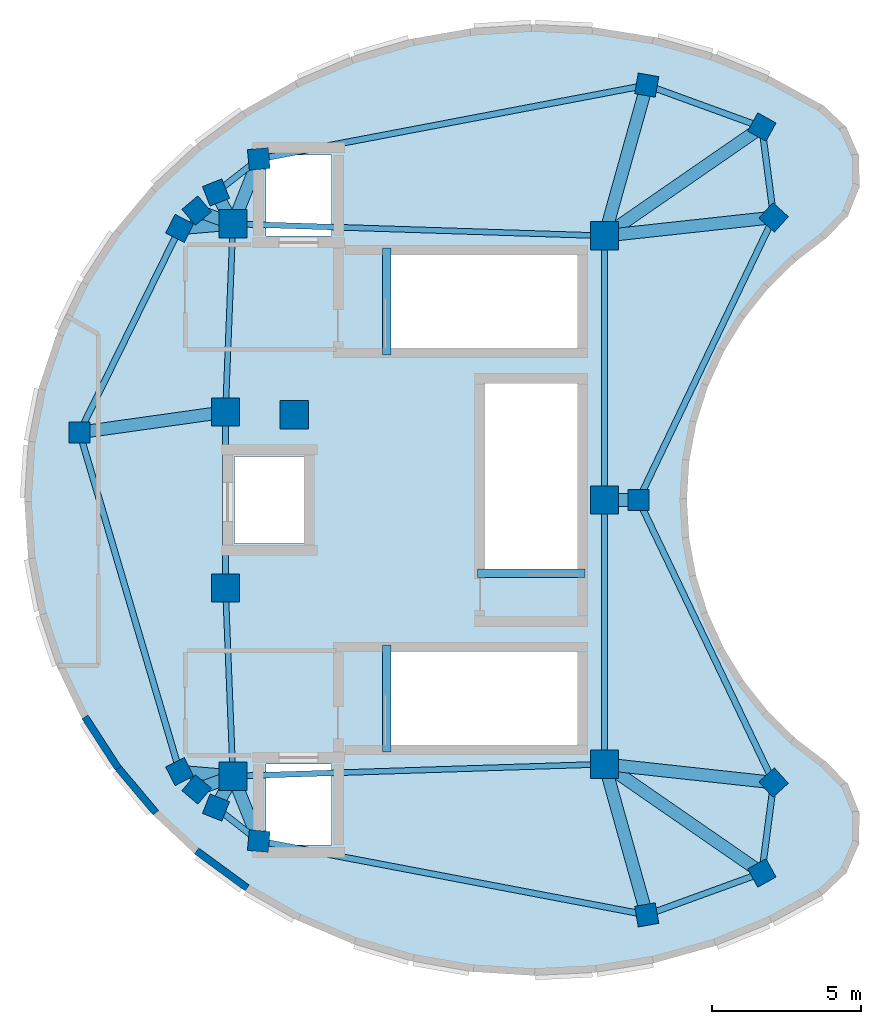
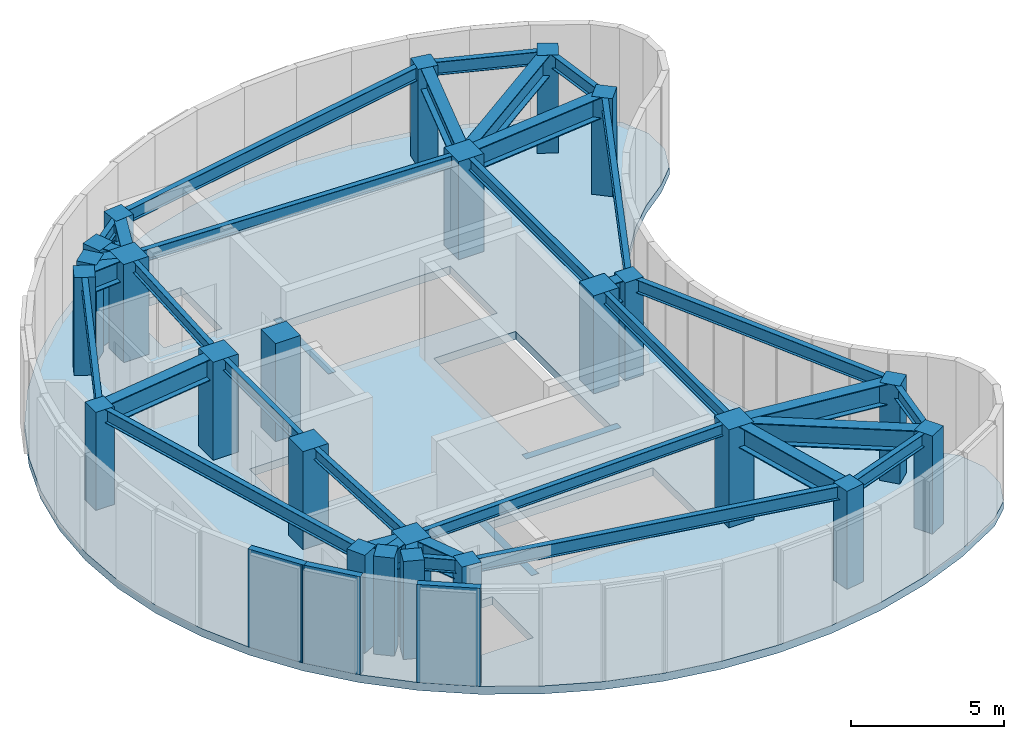
# One storey, part 1 of 4: 38 beams, 24 columns, 3 walls, 1 slab.
"""IFC4 building model written with IfcOpenShell, lengths in metres."""

from ifc_helpers import new_model, si_unit, direction, frame, frame_2d, origin, origin_2d, place, context, subcontext, project, spatial, polyline, rectangle, i_section, outline, extrude, material, layer, layer_set, material_profile, profile_set, type_object, element, save


model = new_model("IFC4")

# Units and contexts
model_context = context("Model", 3, precision=1e-05, world=origin(), true_north=direction((0.0, 1.0)))
body_context = subcontext(model_context, "Body", "Model", "MODEL_VIEW")
ifc_project = project(units=[si_unit("LENGTHUNIT", "METRE"), si_unit("AREAUNIT", "SQUARE_METRE"), si_unit("VOLUMEUNIT", "CUBIC_METRE"), si_unit("PLANEANGLEUNIT", "RADIAN"), si_unit("MASSUNIT", "GRAM", prefix="KILO")], contexts=[model_context])

# Site, building, storey
site_placement = place(None, origin())
site = spatial("IfcSite", under=ifc_project, at=site_placement, CompositionType="ELEMENT")
building_placement = place(site_placement, origin())
building = spatial("IfcBuilding", under=site, at=building_placement, Name="Korentha Bioscience Tower", CompositionType="ELEMENT")
storey_placement = place(building_placement, frame((0.0, 0.0, 339.60009765625)))
storey = spatial("IfcBuildingStorey", under=building, at=storey_placement, Name="L78", CompositionType="ELEMENT", Elevation=339.60009765625)

# Columns
ifc_material_1 = material(Name="Concrete C65", Category="concrete")
ifc_material_profile_1 = material_profile(ifc_material_1, rectangle(XDim=0.949951171875, YDim=0.949951171875, at=origin_2d()), Name="Concrete C65")
ifc_profile_set_1 = profile_set([ifc_material_profile_1], Name="Concrete C65 (COL-CP09)")
column_type_1 = type_object("IfcColumnType", Name="Core Pilaster Column RC 950x950", PredefinedType="PILASTER", material=ifc_profile_set_1)
for number, where, z_axis, x_axis, name in (
    (1, (37.550048828125, 35.85009765625, -0.00048828125), (0.0, 0.0, 1.0), (1.0, 0.0, 0.0), "L78 Core Pilaster CP-01"),
    (2, (25.10009765625, 36.25, -0.00048828125), (0.0, 0.0, 1.0), (1.0, 0.0, 0.0), "L78 Core Pilaster CP-02"),
    (3, (24.85009765625, 29.949951171875, -0.00048828125), (0.0, 0.0, 1.0), (1.0, 0.0, 0.0), "L78 Core Pilaster CP-03"),
    (4, (27.14990234375, 29.85009765625, -0.00048828125), (0.0, 0.0, 1.0), (1.0, 0.0, 0.0), "L78 Core Pilaster CP-04"),
    (5, (24.85009765625, 24.050048828125, -0.00048828125), (0.0, 0.0, 1.0), (1.0, 0.0, 0.0), "L78 Core Pilaster CP-05"),
    (6, (25.10009765625, 17.75, -0.00048828125), (0.0, 0.0, 1.0), (1.0, 0.0, 0.0), "L78 Core Pilaster CP-06"),
    (7, (37.550048828125, 18.14990234375, -0.00048828125), (0.0, 0.0, 1.0), (1.0, 0.0, 0.0), "L78 Core Pilaster CP-07"),
    (8, (37.550048828125, 27.0, -0.00048828125), (0.0, 0.0, 1.0), (1.0, 0.0, 0.0), "L78 Core Pilaster CP-08"),
):
    element("IfcColumn", number, at=place(storey_placement, frame(where, z_axis=z_axis, x_axis=x_axis)), inside=storey, type_object=column_type_1, Name=name, PredefinedType="PILASTER", context=body_context, shape_type="SweptSolid", body=[
        extrude(rectangle(XDim=0.949951171875, YDim=0.949951171875, at=origin_2d()), origin(), (0.0, 0.0, 1.0), 3.9208984375),
    ])
ifc_material_2 = material(Name="Concrete C50", Category="concrete")
ifc_material_profile_2 = material_profile(ifc_material_2, rectangle(XDim=0.699951171875, YDim=0.699951171875, at=origin_2d()), Name="Concrete C50")
ifc_profile_set_2 = profile_set([ifc_material_profile_2], Name="Concrete C50 (COL-P07)")
column_type_2 = type_object("IfcColumnType", Name="Perimeter Column RC 700x700", PredefinedType="COLUMN", material=ifc_profile_set_2)
for number, where, z_axis, x_axis, name in (
    (9, (42.8193359375, 39.493896484375, -0.00048828125), (0.0, 0.0, 1.0), (-0.874535078577, 0.484962262797, 0.0), "L78 Perimeter Column 01"),
    (10, (38.962646484375, 40.898193359375, -0.00048828125), (0.0, 0.0, 1.0), (-0.984868307662, 0.173304404339, 0.0), "L78 Perimeter Column 02"),
    (11, (25.9658203125, 38.424560546875, -0.00048828125), (0.0, 0.0, 1.0), (0.995462868748, 0.095150811579, 0.0), "L78 Perimeter Column 03"),
    (12, (24.53271484375, 37.302490234375, -0.00048828125), (0.0, 0.0, 1.0), (0.930225540858, 0.366988341962, 0.0), "L78 Perimeter Column 04"),
    (13, (23.883056640625, 36.6953125, -0.00048828125), (0.0, 0.0, 1.0), (0.764246456939, 0.644924300253, 0.0), "L78 Perimeter Column 05"),
    (14, (23.314697265625, 36.097900390625, -0.00048828125), (0.0, 0.0, 1.0), (0.453057191132, 0.891481453292, 0.0), "L78 Perimeter Column 06"),
    (15, (19.96044921875, 29.26416015625, -0.00048828125), (0.0, 0.0, 1.0), (0.0, 1.0, 0.0), "L78 Perimeter Column 07"),
    (16, (23.314697265625, 17.902099609375, -0.00048828125), (0.0, 0.0, 1.0), (-0.453057191132, 0.891481453292, 0.0), "L78 Perimeter Column 08"),
    (17, (23.883056640625, 17.3046875, -0.00048828125), (0.0, 0.0, 1.0), (-0.764246456939, 0.644924300253, 0.0), "L78 Perimeter Column 09"),
    (18, (24.53271484375, 16.697509765625, -0.00048828125), (0.0, 0.0, 1.0), (-0.930225540858, 0.366988341962, 0.0), "L78 Perimeter Column 10"),
    (19, (25.9658203125, 15.575439453125, -0.00048828125), (0.0, 0.0, 1.0), (-0.995462868748, 0.095150811579, 0.0), "L78 Perimeter Column 11"),
    (20, (38.962646484375, 13.101806640625, -0.00048828125), (0.0, 0.0, 1.0), (0.984868307662, 0.173304404339, 0.0), "L78 Perimeter Column 12"),
    (21, (42.8193359375, 14.506103515625, -0.00048828125), (0.0, 0.0, 1.0), (0.874535078577, 0.484962262797, 0.0), "L78 Perimeter Column 13"),
    (22, (43.214111328125, 17.532958984375, -0.00048828125), (0.0, 0.0, 1.0), (-0.669130606359, 0.743144825477, 0.0), "L78 Perimeter Column 14"),
    (23, (38.6865234375, 27.0, -0.00048828125), (0.0, 0.0, 1.0), (0.0, 1.0, 0.0), "L78 Perimeter Column 15"),
    (24, (43.214111328125, 36.467041015625, -0.00048828125), (0.0, 0.0, 1.0), (0.669130606359, 0.743144825477, 0.0), "L78 Perimeter Column 16"),
):
    element("IfcColumn", number, at=place(storey_placement, frame(where, z_axis=z_axis, x_axis=x_axis)), inside=storey, type_object=column_type_2, Name=name, PredefinedType="COLUMN", context=body_context, shape_type="SweptSolid", body=[
        extrude(rectangle(XDim=0.699951171875, YDim=0.699951171875, at=origin_2d()), origin(), (0.0, 0.0, 1.0), 3.9208984375),
    ])

# Beams
ifc_material_profile_3 = material_profile(ifc_material_2, rectangle(XDim=0.280029296875, YDim=0.3798828125, at=origin_2d()), Name="Concrete C50")
ifc_profile_set_3 = profile_set([ifc_material_profile_3], Name="Concrete C50 (ST-HB380)")
beam_type_1 = type_object("IfcBeamType", Name="Concrete Stair Header Beam RC 280x380", PredefinedType="BEAM", material=ifc_profile_set_3)
for number, where, z_axis, x_axis, name in (
    (25, (30.25, 31.85009765625, -0.190185546875), (0.0, 1.0, 0.0), (-1.0, 0.0, 0.0), "L78 ST-1 Concrete Stair Header Beam"),
    (26, (30.25, 18.550048828125, -0.190185546875), (0.0, 1.0, 0.0), (-1.0, 0.0, 0.0), "L78 ST-2 Concrete Stair Header Beam"),
    (27, (36.89990234375, 24.550048828125, -0.190185546875), (-1.0, 0.0, 0.0), (0.0, -1.0, 0.0), "L78 ST-3 Concrete Stair Header Beam"),
):
    element("IfcBeam", number, at=place(storey_placement, frame(where, z_axis=z_axis, x_axis=x_axis)), inside=storey, type_object=beam_type_1, Name=name, PredefinedType="BEAM", context=body_context, shape_type="SweptSolid", body=[
        extrude(rectangle(XDim=0.280029296875, YDim=0.3798828125, at=origin_2d()), origin(), (0.0, 0.0, 1.0), 3.599853515625),
    ])
ifc_material_3 = material(Name="Steel S355", Category="steel")
ifc_material_profile_4 = material_profile(ifc_material_3, i_section(OverallWidth=0.18994140625, OverallDepth=0.45703125, WebThickness=0.009033203125, FlangeThickness=0.014404296875, at=origin_2d()), Name="Steel S355")
ifc_profile_set_4 = profile_set([ifc_material_profile_4], Name="Steel S355 (MB-460)")
beam_type_2 = type_object("IfcBeamType", Name="Mid-Ring Tie Girder W460x74", PredefinedType="BEAM", material=ifc_profile_set_4)
beam_1_placement = place(storey_placement, frame((37.550048828125, 35.85009765625, 3.69140625), z_axis=(-0.999484526071, 0.032104238723, 0.0), x_axis=(-0.032104238723, -0.999484526071, 0.0)))
element("IfcBeam", 28, at=beam_1_placement, inside=storey, type_object=beam_type_2, Name="L78 Core Ring Tie Girder 01", PredefinedType="BEAM", context=body_context, shape_type="SweptSolid", body=[
    extrude(i_section(OverallWidth=0.18994140625, OverallDepth=0.45703125, WebThickness=0.009033203125, FlangeThickness=0.014404296875, at=origin_2d()), origin(), (0.0, 0.0, 1.0), 12.456298828125),
])
beam_2_placement = place(storey_placement, frame((25.10009765625, 36.25, 3.69140625), z_axis=(-0.039651025576, -0.999213588864, 0.0), x_axis=(0.999213588864, -0.039651025576, 0.0)))
element("IfcBeam", 29, at=beam_2_placement, inside=storey, type_object=beam_type_2, Name="L78 Core Ring Tie Girder 02", PredefinedType="BEAM", context=body_context, shape_type="SweptSolid", body=[
    extrude(i_section(OverallWidth=0.18994140625, OverallDepth=0.45703125, WebThickness=0.009033203125, FlangeThickness=0.014404296875, at=origin_2d()), origin(), (0.0, 0.0, 1.0), 6.304931640625),
])
beam_3_placement = place(storey_placement, frame((24.85009765625, 29.949951171875, 3.69140625), z_axis=(0.0, -1.0, 0.0), x_axis=(1.0, 0.0, 0.0)))
element("IfcBeam", 30, at=beam_3_placement, inside=storey, type_object=beam_type_2, Name="L78 Core Ring Tie Girder 03", PredefinedType="BEAM", context=body_context, shape_type="SweptSolid", body=[
    extrude(i_section(OverallWidth=0.18994140625, OverallDepth=0.45703125, WebThickness=0.009033203125, FlangeThickness=0.014404296875, at=origin_2d()), origin(), (0.0, 0.0, 1.0), 5.89990234375),
])
beam_4_placement = place(storey_placement, frame((24.85009765625, 24.050048828125, 3.69140625), z_axis=(0.039651025576, -0.999213588864, 0.0), x_axis=(0.999213588864, 0.039651025576, 0.0)))
element("IfcBeam", 31, at=beam_4_placement, inside=storey, type_object=beam_type_2, Name="L78 Core Ring Tie Girder 04", PredefinedType="BEAM", context=body_context, shape_type="SweptSolid", body=[
    extrude(i_section(OverallWidth=0.18994140625, OverallDepth=0.45703125, WebThickness=0.009033203125, FlangeThickness=0.014404296875, at=origin_2d()), origin(), (0.0, 0.0, 1.0), 6.304931640625),
])
beam_5_placement = place(storey_placement, frame((25.10009765625, 17.75, 3.69140625), z_axis=(0.999484526071, 0.032104238723, 0.0), x_axis=(-0.032104238723, 0.999484526071, 0.0)))
element("IfcBeam", 32, at=beam_5_placement, inside=storey, type_object=beam_type_2, Name="L78 Core Ring Tie Girder 05", PredefinedType="BEAM", context=body_context, shape_type="SweptSolid", body=[
    extrude(i_section(OverallWidth=0.18994140625, OverallDepth=0.45703125, WebThickness=0.009033203125, FlangeThickness=0.014404296875, at=origin_2d()), origin(), (0.0, 0.0, 1.0), 12.456298828125),
])
for number, where, z_axis, x_axis, name in (
    (33, (37.550048828125, 18.14990234375, 3.69140625), (0.0, 1.0, 0.0), (-1.0, 0.0, 0.0), "L78 Core Ring Tie Girder 06"),
    (34, (37.550048828125, 27.0, 3.69140625), (0.0, 1.0, 0.0), (-1.0, 0.0, 0.0), "L78 Core Ring Tie Girder 07"),
):
    element("IfcBeam", number, at=place(storey_placement, frame(where, z_axis=z_axis, x_axis=x_axis)), inside=storey, type_object=beam_type_2, Name=name, PredefinedType="BEAM", context=body_context, shape_type="SweptSolid", body=[
        extrude(i_section(OverallWidth=0.18994140625, OverallDepth=0.45703125, WebThickness=0.009033203125, FlangeThickness=0.014404296875, at=origin_2d()), origin(), (0.0, 0.0, 1.0), 8.85009765625),
    ])
ifc_material_profile_5 = material_profile(ifc_material_3, i_section(OverallWidth=0.208984375, OverallDepth=0.532958984375, WebThickness=0.01025390625, FlangeThickness=0.015625, at=origin_2d()), Name="Steel S355")
ifc_profile_set_5 = profile_set([ifc_material_profile_5], Name="Steel S355 (SB-530)")
beam_type_3 = type_object("IfcBeamType", Name="Perimeter Ring Spandrel Girder W530x92", PredefinedType="SPANDREL", material=ifc_profile_set_5)
beam_6_placement = place(storey_placement, frame((42.8193359375, 39.493896484375, 3.6533203125), z_axis=(-0.939647453399, 0.342144214215, 0.0), x_axis=(-0.342144214215, -0.939647453399, 0.0)))
element("IfcBeam", 35, at=beam_6_placement, inside=storey, type_object=beam_type_3, Name="L78 Perimeter Spandrel Girder 01", PredefinedType="SPANDREL", context=body_context, shape_type="SweptSolid", body=[
    extrude(i_section(OverallWidth=0.208984375, OverallDepth=0.532958984375, WebThickness=0.01025390625, FlangeThickness=0.015625, at=origin_2d()), origin(), (0.0, 0.0, 1.0), 4.1044921875),
])
beam_7_placement = place(storey_placement, frame((38.962646484375, 40.898193359375, 3.6533203125), z_axis=(-0.982365691041, -0.186969647443, 0.0), x_axis=(0.186969647443, -0.982365691041, 0.0)))
element("IfcBeam", 36, at=beam_7_placement, inside=storey, type_object=beam_type_3, Name="L78 Perimeter Spandrel Girder 02", PredefinedType="SPANDREL", context=body_context, shape_type="SweptSolid", body=[
    extrude(i_section(OverallWidth=0.208984375, OverallDepth=0.532958984375, WebThickness=0.01025390625, FlangeThickness=0.015625, at=origin_2d()), origin(), (0.0, 0.0, 1.0), 13.230224609375),
])
beam_8_placement = place(storey_placement, frame((25.9658203125, 38.424560546875, 3.6533203125), z_axis=(-0.787369117688, -0.616481850919, 0.0), x_axis=(0.616481850919, -0.787369117688, 0.0)))
element("IfcBeam", 37, at=beam_8_placement, inside=storey, type_object=beam_type_3, Name="L78 Perimeter Spandrel Girder 03", PredefinedType="SPANDREL", context=body_context, shape_type="SweptSolid", body=[
    extrude(i_section(OverallWidth=0.208984375, OverallDepth=0.532958984375, WebThickness=0.01025390625, FlangeThickness=0.015625, at=origin_2d()), origin(), (0.0, 0.0, 1.0), 1.820068359375),
])
beam_9_placement = place(storey_placement, frame((23.314697265625, 36.097900390625, 3.6533203125), z_axis=(-0.440620564401, -0.897693443346, 0.0), x_axis=(0.897693443346, -0.440620564401, 0.0)))
element("IfcBeam", 38, at=beam_9_placement, inside=storey, type_object=beam_type_3, Name="L78 Perimeter Spandrel Girder 06", PredefinedType="SPANDREL", context=body_context, shape_type="SweptSolid", body=[
    extrude(i_section(OverallWidth=0.208984375, OverallDepth=0.532958984375, WebThickness=0.01025390625, FlangeThickness=0.015625, at=origin_2d()), origin(), (0.0, 0.0, 1.0), 7.612548828125),
])
beam_10_placement = place(storey_placement, frame((19.96044921875, 29.26416015625, 3.6533203125), z_axis=(0.283134629469, -0.959080174748, 0.0), x_axis=(0.959080174748, 0.283134629469, 0.0)))
element("IfcBeam", 39, at=beam_10_placement, inside=storey, type_object=beam_type_3, Name="L78 Perimeter Spandrel Girder 07", PredefinedType="SPANDREL", context=body_context, shape_type="SweptSolid", body=[
    extrude(i_section(OverallWidth=0.208984375, OverallDepth=0.532958984375, WebThickness=0.01025390625, FlangeThickness=0.015625, at=origin_2d()), origin(), (0.0, 0.0, 1.0), 11.846923828125),
])
beam_11_placement = place(storey_placement, frame((24.53271484375, 16.697509765625, 3.6533203125), z_axis=(0.787369117688, -0.616481850919, 0.0), x_axis=(0.616481850919, 0.787369117688, 0.0)))
element("IfcBeam", 40, at=beam_11_placement, inside=storey, type_object=beam_type_3, Name="L78 Perimeter Spandrel Girder 10", PredefinedType="SPANDREL", context=body_context, shape_type="SweptSolid", body=[
    extrude(i_section(OverallWidth=0.208984375, OverallDepth=0.532958984375, WebThickness=0.01025390625, FlangeThickness=0.015625, at=origin_2d()), origin(), (0.0, 0.0, 1.0), 1.820068359375),
])
beam_12_placement = place(storey_placement, frame((25.9658203125, 15.575439453125, 3.6533203125), z_axis=(0.982365691041, -0.186969647443, 0.0), x_axis=(0.186969647443, 0.982365691041, 0.0)))
element("IfcBeam", 41, at=beam_12_placement, inside=storey, type_object=beam_type_3, Name="L78 Perimeter Spandrel Girder 11", PredefinedType="SPANDREL", context=body_context, shape_type="SweptSolid", body=[
    extrude(i_section(OverallWidth=0.208984375, OverallDepth=0.532958984375, WebThickness=0.01025390625, FlangeThickness=0.015625, at=origin_2d()), origin(), (0.0, 0.0, 1.0), 13.230224609375),
])
beam_13_placement = place(storey_placement, frame((38.962646484375, 13.101806640625, 3.6533203125), z_axis=(0.939647453399, 0.342144214215, 0.0), x_axis=(-0.342144214215, 0.939647453399, 0.0)))
element("IfcBeam", 42, at=beam_13_placement, inside=storey, type_object=beam_type_3, Name="L78 Perimeter Spandrel Girder 12", PredefinedType="SPANDREL", context=body_context, shape_type="SweptSolid", body=[
    extrude(i_section(OverallWidth=0.208984375, OverallDepth=0.532958984375, WebThickness=0.01025390625, FlangeThickness=0.015625, at=origin_2d()), origin(), (0.0, 0.0, 1.0), 4.1044921875),
])
beam_14_placement = place(storey_placement, frame((42.8193359375, 14.506103515625, 3.6533203125), z_axis=(0.129328926302, 0.991601749102, 0.0), x_axis=(-0.991601749102, 0.129328926302, 0.0)))
element("IfcBeam", 43, at=beam_14_placement, inside=storey, type_object=beam_type_3, Name="L78 Perimeter Spandrel Girder 13", PredefinedType="SPANDREL", context=body_context, shape_type="SweptSolid", body=[
    extrude(i_section(OverallWidth=0.208984375, OverallDepth=0.532958984375, WebThickness=0.01025390625, FlangeThickness=0.015625, at=origin_2d()), origin(), (0.0, 0.0, 1.0), 3.052490234375),
])
for number, where, z_axis, x_axis, name in (
    (44, (43.214111328125, 17.532958984375, 3.6533203125), (-0.431445618688, 0.902138946124, 0.0), (-0.902138946124, -0.431445618688, 0.0), "L78 Perimeter Spandrel Girder 14"),
    (45, (38.6865234375, 27.0, 3.6533203125), (0.431445618688, 0.902138946124, 0.0), (-0.902138946124, 0.431445618688, 0.0), "L78 Perimeter Spandrel Girder 15"),
):
    element("IfcBeam", number, at=place(storey_placement, frame(where, z_axis=z_axis, x_axis=x_axis)), inside=storey, type_object=beam_type_3, Name=name, PredefinedType="SPANDREL", context=body_context, shape_type="SweptSolid", body=[
        extrude(i_section(OverallWidth=0.208984375, OverallDepth=0.532958984375, WebThickness=0.01025390625, FlangeThickness=0.015625, at=origin_2d()), origin(), (0.0, 0.0, 1.0), 10.493896484375),
    ])
beam_15_placement = place(storey_placement, frame((43.214111328125, 36.467041015625, 3.6533203125), z_axis=(-0.129328926302, 0.991601749102, 0.0), x_axis=(-0.991601749102, -0.129328926302, 0.0)))
element("IfcBeam", 46, at=beam_15_placement, inside=storey, type_object=beam_type_3, Name="L78 Perimeter Spandrel Girder 16", PredefinedType="SPANDREL", context=body_context, shape_type="SweptSolid", body=[
    extrude(i_section(OverallWidth=0.208984375, OverallDepth=0.532958984375, WebThickness=0.01025390625, FlangeThickness=0.015625, at=origin_2d()), origin(), (0.0, 0.0, 1.0), 3.052490234375),
])
ifc_material_profile_6 = material_profile(ifc_material_3, i_section(OverallWidth=0.419921875, OverallDepth=0.85009765625, WebThickness=0.01806640625, FlangeThickness=0.031982421875, at=origin_2d()), Name="Steel S355")
ifc_profile_set_6 = profile_set([ifc_material_profile_6], Name="Steel S355 (MB-850)")
beam_type_4 = type_object("IfcBeamType", Name="Plant Heavy Girder CVS 850x315", PredefinedType="BEAM", material=ifc_profile_set_6)
beam_16_placement = place(storey_placement, frame((37.550048828125, 35.85009765625, 3.494873046875), z_axis=(0.822496637408, 0.568769972354, 0.0), x_axis=(-0.568769972354, 0.822496637408, 0.0)))
element("IfcBeam", 47, at=beam_16_placement, inside=storey, type_object=beam_type_4, Name="L78 Radial Girder 01", PredefinedType="BEAM", context=body_context, shape_type="SweptSolid", body=[
    extrude(i_section(OverallWidth=0.419921875, OverallDepth=0.85009765625, WebThickness=0.01806640625, FlangeThickness=0.031982421875, at=origin_2d()), origin(), (0.0, 0.0, 1.0), 6.406494140625),
])
beam_17_placement = place(storey_placement, frame((37.550048828125, 35.85009765625, 3.494873046875), z_axis=(0.269476173168, 0.963007057137, 0.0), x_axis=(-0.963007057137, 0.269476173168, 0.0)))
element("IfcBeam", 48, at=beam_17_placement, inside=storey, type_object=beam_type_4, Name="L78 Radial Girder 02", PredefinedType="BEAM", context=body_context, shape_type="SweptSolid", body=[
    extrude(i_section(OverallWidth=0.419921875, OverallDepth=0.85009765625, WebThickness=0.01806640625, FlangeThickness=0.031982421875, at=origin_2d()), origin(), (0.0, 0.0, 1.0), 5.241943359375),
])
beam_18_placement = place(storey_placement, frame((25.10009765625, 36.25, 3.494873046875), z_axis=(0.369879503553, 0.929079734389, 0.0), x_axis=(-0.929079734389, 0.369879503553, 0.0)))
element("IfcBeam", 49, at=beam_18_placement, inside=storey, type_object=beam_type_4, Name="L78 Radial Girder 03", PredefinedType="BEAM", context=body_context, shape_type="SweptSolid", body=[
    extrude(i_section(OverallWidth=0.419921875, OverallDepth=0.85009765625, WebThickness=0.01806640625, FlangeThickness=0.031982421875, at=origin_2d()), origin(), (0.0, 0.0, 1.0), 2.340576171875),
])
beam_19_placement = place(storey_placement, frame((25.10009765625, 36.25, 3.494873046875), z_axis=(-0.474525933434, 0.880241522821, 0.0), x_axis=(-0.880241522821, -0.474525933434, 0.0)))
element("IfcBeam", 50, at=beam_19_placement, inside=storey, type_object=beam_type_4, Name="L78 Radial Girder 04", PredefinedType="BEAM", context=body_context, shape_type="SweptSolid", body=[
    extrude(i_section(OverallWidth=0.419921875, OverallDepth=0.85009765625, WebThickness=0.01806640625, FlangeThickness=0.031982421875, at=origin_2d()), origin(), (0.0, 0.0, 1.0), 1.19580078125),
])
beam_20_placement = place(storey_placement, frame((25.10009765625, 36.25, 3.494873046875), z_axis=(-0.939109508152, 0.343618002582, 0.0), x_axis=(-0.343618002582, -0.939109508152, 0.0)))
element("IfcBeam", 51, at=beam_20_placement, inside=storey, type_object=beam_type_4, Name="L78 Radial Girder 05", PredefinedType="BEAM", context=body_context, shape_type="SweptSolid", body=[
    extrude(i_section(OverallWidth=0.419921875, OverallDepth=0.85009765625, WebThickness=0.01806640625, FlangeThickness=0.031982421875, at=origin_2d()), origin(), (0.0, 0.0, 1.0), 1.2958984375),
])
beam_21_placement = place(storey_placement, frame((25.10009765625, 36.25, 3.494873046875), z_axis=(-0.996390900378, -0.084883294262, 0.0), x_axis=(0.084883294262, -0.996390900378, 0.0)))
element("IfcBeam", 52, at=beam_21_placement, inside=storey, type_object=beam_type_4, Name="L78 Radial Girder 06", PredefinedType="BEAM", context=body_context, shape_type="SweptSolid", body=[
    extrude(i_section(OverallWidth=0.419921875, OverallDepth=0.85009765625, WebThickness=0.01806640625, FlangeThickness=0.031982421875, at=origin_2d()), origin(), (0.0, 0.0, 1.0), 1.791748046875),
])
beam_22_placement = place(storey_placement, frame((24.85009765625, 29.949951171875, 3.494873046875), z_axis=(-0.990307225946, -0.138894198007, 0.0), x_axis=(0.138894198007, -0.990307225946, 0.0)))
element("IfcBeam", 53, at=beam_22_placement, inside=storey, type_object=beam_type_4, Name="L78 Radial Girder 07", PredefinedType="BEAM", context=body_context, shape_type="SweptSolid", body=[
    extrude(i_section(OverallWidth=0.419921875, OverallDepth=0.85009765625, WebThickness=0.01806640625, FlangeThickness=0.031982421875, at=origin_2d()), origin(), (0.0, 0.0, 1.0), 4.9375),
])
beam_23_placement = place(storey_placement, frame((25.10009765625, 17.75, 3.494873046875), z_axis=(-0.996390900378, 0.084883294262, 0.0), x_axis=(-0.084883294262, -0.996390900378, 0.0)))
element("IfcBeam", 54, at=beam_23_placement, inside=storey, type_object=beam_type_4, Name="L78 Radial Girder 08", PredefinedType="BEAM", context=body_context, shape_type="SweptSolid", body=[
    extrude(i_section(OverallWidth=0.419921875, OverallDepth=0.85009765625, WebThickness=0.01806640625, FlangeThickness=0.031982421875, at=origin_2d()), origin(), (0.0, 0.0, 1.0), 1.791748046875),
])
beam_24_placement = place(storey_placement, frame((25.10009765625, 17.75, 3.494873046875), z_axis=(-0.939109508152, -0.343618002582, 0.0), x_axis=(0.343618002582, -0.939109508152, 0.0)))
element("IfcBeam", 55, at=beam_24_placement, inside=storey, type_object=beam_type_4, Name="L78 Radial Girder 09", PredefinedType="BEAM", context=body_context, shape_type="SweptSolid", body=[
    extrude(i_section(OverallWidth=0.419921875, OverallDepth=0.85009765625, WebThickness=0.01806640625, FlangeThickness=0.031982421875, at=origin_2d()), origin(), (0.0, 0.0, 1.0), 1.2958984375),
])
beam_25_placement = place(storey_placement, frame((25.10009765625, 17.75, 3.494873046875), z_axis=(-0.474525933434, -0.880241522821, 0.0), x_axis=(0.880241522821, -0.474525933434, 0.0)))
element("IfcBeam", 56, at=beam_25_placement, inside=storey, type_object=beam_type_4, Name="L78 Radial Girder 10", PredefinedType="BEAM", context=body_context, shape_type="SweptSolid", body=[
    extrude(i_section(OverallWidth=0.419921875, OverallDepth=0.85009765625, WebThickness=0.01806640625, FlangeThickness=0.031982421875, at=origin_2d()), origin(), (0.0, 0.0, 1.0), 1.19580078125),
])
beam_26_placement = place(storey_placement, frame((25.10009765625, 17.75, 3.494873046875), z_axis=(0.369879503553, -0.929079734389, 0.0), x_axis=(0.929079734389, 0.369879503553, 0.0)))
element("IfcBeam", 57, at=beam_26_placement, inside=storey, type_object=beam_type_4, Name="L78 Radial Girder 11", PredefinedType="BEAM", context=body_context, shape_type="SweptSolid", body=[
    extrude(i_section(OverallWidth=0.419921875, OverallDepth=0.85009765625, WebThickness=0.01806640625, FlangeThickness=0.031982421875, at=origin_2d()), origin(), (0.0, 0.0, 1.0), 2.340576171875),
])
beam_27_placement = place(storey_placement, frame((37.550048828125, 18.14990234375, 3.494873046875), z_axis=(0.269476173168, -0.963007057137, 0.0), x_axis=(0.963007057137, 0.269476173168, 0.0)))
element("IfcBeam", 58, at=beam_27_placement, inside=storey, type_object=beam_type_4, Name="L78 Radial Girder 12", PredefinedType="BEAM", context=body_context, shape_type="SweptSolid", body=[
    extrude(i_section(OverallWidth=0.419921875, OverallDepth=0.85009765625, WebThickness=0.01806640625, FlangeThickness=0.031982421875, at=origin_2d()), origin(), (0.0, 0.0, 1.0), 5.241943359375),
])
beam_28_placement = place(storey_placement, frame((37.550048828125, 18.14990234375, 3.494873046875), z_axis=(0.822496637408, -0.568769972354, 0.0), x_axis=(0.568769972354, 0.822496637408, 0.0)))
element("IfcBeam", 59, at=beam_28_placement, inside=storey, type_object=beam_type_4, Name="L78 Radial Girder 13", PredefinedType="BEAM", context=body_context, shape_type="SweptSolid", body=[
    extrude(i_section(OverallWidth=0.419921875, OverallDepth=0.85009765625, WebThickness=0.01806640625, FlangeThickness=0.031982421875, at=origin_2d()), origin(), (0.0, 0.0, 1.0), 6.406494140625),
])
beam_29_placement = place(storey_placement, frame((37.550048828125, 18.14990234375, 3.494873046875), z_axis=(0.994120221144, -0.108281974088, 0.0), x_axis=(0.108281974088, 0.994120221144, 0.0)))
element("IfcBeam", 60, at=beam_29_placement, inside=storey, type_object=beam_type_4, Name="L78 Radial Girder 14", PredefinedType="BEAM", context=body_context, shape_type="SweptSolid", body=[
    extrude(i_section(OverallWidth=0.419921875, OverallDepth=0.85009765625, WebThickness=0.01806640625, FlangeThickness=0.031982421875, at=origin_2d()), origin(), (0.0, 0.0, 1.0), 5.697509765625),
])
beam_30_placement = place(storey_placement, frame((37.550048828125, 27.0, 3.494873046875), z_axis=(1.0, 0.0, 0.0), x_axis=(0.0, 1.0, 0.0)))
element("IfcBeam", 61, at=beam_30_placement, inside=storey, type_object=beam_type_4, Name="L78 Radial Girder 15", PredefinedType="BEAM", context=body_context, shape_type="SweptSolid", body=[
    extrude(i_section(OverallWidth=0.419921875, OverallDepth=0.85009765625, WebThickness=0.01806640625, FlangeThickness=0.031982421875, at=origin_2d()), origin(), (0.0, 0.0, 1.0), 1.136474609375),
])
beam_31_placement = place(storey_placement, frame((37.550048828125, 35.85009765625, 3.494873046875), z_axis=(0.994120221144, 0.108281974088, 0.0), x_axis=(-0.108281974088, 0.994120221144, 0.0)))
element("IfcBeam", 62, at=beam_31_placement, inside=storey, type_object=beam_type_4, Name="L78 Radial Girder 16", PredefinedType="BEAM", context=body_context, shape_type="SweptSolid", body=[
    extrude(i_section(OverallWidth=0.419921875, OverallDepth=0.85009765625, WebThickness=0.01806640625, FlangeThickness=0.031982421875, at=origin_2d()), origin(), (0.0, 0.0, 1.0), 5.697509765625),
])

# Slab
ifc_layer_1 = layer(ifc_material_2, 0.320068359375, Name="Concrete C50")
ifc_layer_set_1 = layer_set([ifc_layer_1], Name="Concrete C50 (SL-M320)")
slab_type = type_object("IfcSlabType", Name="Mechanical Plant Heavy Slab 320", PredefinedType="FLOOR", material=ifc_layer_set_1)
slab_placement = place(storey_placement, frame((0.0, 0.0, -0.320068359375)))
element("IfcSlab", 63, at=slab_placement, inside=storey, type_object=slab_type, Name="L78 Tower Structural Floor Slab", PredefinedType="FLOOR", context=body_context, shape_type="SweptSolid", body=[
    extrude(outline(polyline([(44.890380859375, 40.20654296875), (43.113525390625, 41.1796875), (41.2236328125, 41.947998046875), (39.248046875, 42.50048828125), (37.21533203125, 42.829345703125), (35.15478515625, 42.929443359375), (33.09619140625, 42.7998046875), (31.069091796875, 42.441650390625), (29.10302734375, 41.86083984375), (27.226318359375, 41.0654296875), (25.4658203125, 40.06689453125), (23.847412109375, 38.87939453125), (22.393798828125, 37.520751953125), (21.126708984375, 36.010009765625), (20.06396484375, 34.369384765625), (19.220947265625, 32.622314453125), (18.610107421875, 30.793701171875), (18.239990234375, 28.91064453125), (18.115966796875, 27.0), (18.239990234375, 25.08935546875), (18.610107421875, 23.206298828125), (19.220947265625, 21.377685546875), (20.06396484375, 19.630615234375), (21.126708984375, 17.989990234375), (22.393798828125, 16.479248046875), (23.847412109375, 15.12060546875), (25.4658203125, 13.93310546875), (27.226318359375, 12.9345703125), (29.10302734375, 12.13916015625), (31.069091796875, 11.558349609375), (33.09619140625, 11.2001953125), (35.15478515625, 11.070556640625), (37.21533203125, 11.170654296875), (39.248046875, 11.49951171875), (41.2236328125, 12.052001953125), (43.113525390625, 12.8203125), (44.890380859375, 13.79345703125), (45.64990234375, 14.51220703125), (46.0712890625, 15.46923828125), (46.08935546875, 16.514892578125), (45.70068359375, 17.485595703125), (44.966552734375, 18.22998046875), (43.94189453125, 19.016357421875), (43.0205078125, 19.921630859375), (42.216552734375, 20.9326171875), (41.541748046875, 22.03369140625), (41.006103515625, 23.208984375), (40.61767578125, 24.44091796875), (40.38232421875, 25.710693359375), (40.303466796875, 27.0), (40.38232421875, 28.289306640625), (40.61767578125, 29.55908203125), (41.006103515625, 30.791015625), (41.541748046875, 31.96630859375), (42.216552734375, 33.0673828125), (43.0205078125, 34.078369140625), (43.94189453125, 34.983642578125), (44.966552734375, 35.77001953125), (45.70068359375, 36.514404296875), (46.08935546875, 37.485107421875), (46.0712890625, 38.53076171875), (45.64990234375, 39.48779296875), (44.890380859375, 40.20654296875)]), holes=[polyline([(30.25, 32.10009765625), (36.64990234375, 32.10009765625), (36.64990234375, 35.199951171875), (30.25, 35.199951171875), (30.25, 32.10009765625)]), polyline([(30.25, 18.800048828125), (36.64990234375, 18.800048828125), (36.64990234375, 21.89990234375), (30.25, 21.89990234375), (30.25, 18.800048828125)]), polyline([(36.64990234375, 24.550048828125), (36.64990234375, 30.89990234375), (33.550048828125, 30.89990234375), (33.550048828125, 24.550048828125), (36.64990234375, 24.550048828125)]), polyline([(26.199951171875, 15.449951171875), (28.39990234375, 15.449951171875), (28.39990234375, 18.14990234375), (26.199951171875, 18.14990234375), (26.199951171875, 15.449951171875)]), polyline([(26.199951171875, 35.85009765625), (28.39990234375, 35.85009765625), (28.39990234375, 38.550048828125), (26.199951171875, 38.550048828125), (26.199951171875, 35.85009765625)]), polyline([(25.14990234375, 25.550048828125), (27.550048828125, 25.550048828125), (27.550048828125, 28.449951171875), (25.14990234375, 28.449951171875), (25.14990234375, 25.550048828125)])]), origin(), (0.0, 0.0, 1.0), 0.320068359375),
])

# Walls
ifc_material_4 = material(Name="Insulated Precast Concrete C40", Category="concrete")
ifc_layer_2 = layer(ifc_material_4, 0.239990234375, Name="Insulated Precast Concrete C40")
ifc_layer_set_2 = layer_set([ifc_layer_2], Name="Insulated Precast Concrete C40 (EW-PL240)")
wall_type = type_object("IfcWallType", Name="Plant Acoustic Louvre Backup Wall 240", PredefinedType="STANDARD", material=ifc_layer_set_2)
wall_1_placement = place(storey_placement, frame((20.137451171875, 19.73779296875, 0.0), z_axis=(0.0, 0.0, 1.0), x_axis=(0.54368472545, -0.839289532469, 0.0)))
element("IfcWall", 64, at=wall_1_placement, inside=storey, type_object=wall_type, Name="L78 Plant Louvre Backup Wall 23", PredefinedType="STANDARD", context=body_context, shape_type="SweptSolid", body=[
    extrude(rectangle(XDim=2.054931640625, YDim=0.239990234375, at=frame_2d((1.02734375, 0.0))), origin(), (0.0, 0.0, 1.0), 3.919921875),
])
wall_2_placement = place(storey_placement, frame((21.1865234375, 18.105224609375, 0.0), z_axis=(0.0, 0.0, 1.0), x_axis=(0.642719373216, -0.766101695137, 0.0)))
element("IfcWall", 65, at=wall_2_placement, inside=storey, type_object=wall_type, Name="L78 Plant Louvre Backup Wall 24", PredefinedType="STANDARD", context=body_context, shape_type="SweptSolid", body=[
    extrude(rectangle(XDim=2.07177734375, YDim=0.239990234375, at=frame_2d((1.035888671875, 0.0))), origin(), (0.0, 0.0, 1.0), 3.919921875),
])
wall_3_placement = place(storey_placement, frame((23.8779296875, 15.246826171875, 0.0), z_axis=(0.0, 0.0, 1.0), x_axis=(0.806349743637, -0.591439000182, 0.0)))
element("IfcWall", 66, at=wall_3_placement, inside=storey, type_object=wall_type, Name="L78 Plant Louvre Backup Wall 26", PredefinedType="STANDARD", context=body_context, shape_type="SweptSolid", body=[
    extrude(rectangle(XDim=2.107177734375, YDim=0.239990234375, at=frame_2d((1.0537109375, 0.0))), origin(), (0.0, 0.0, 1.0), 3.919921875),
])

save(model, "model.ifc")
